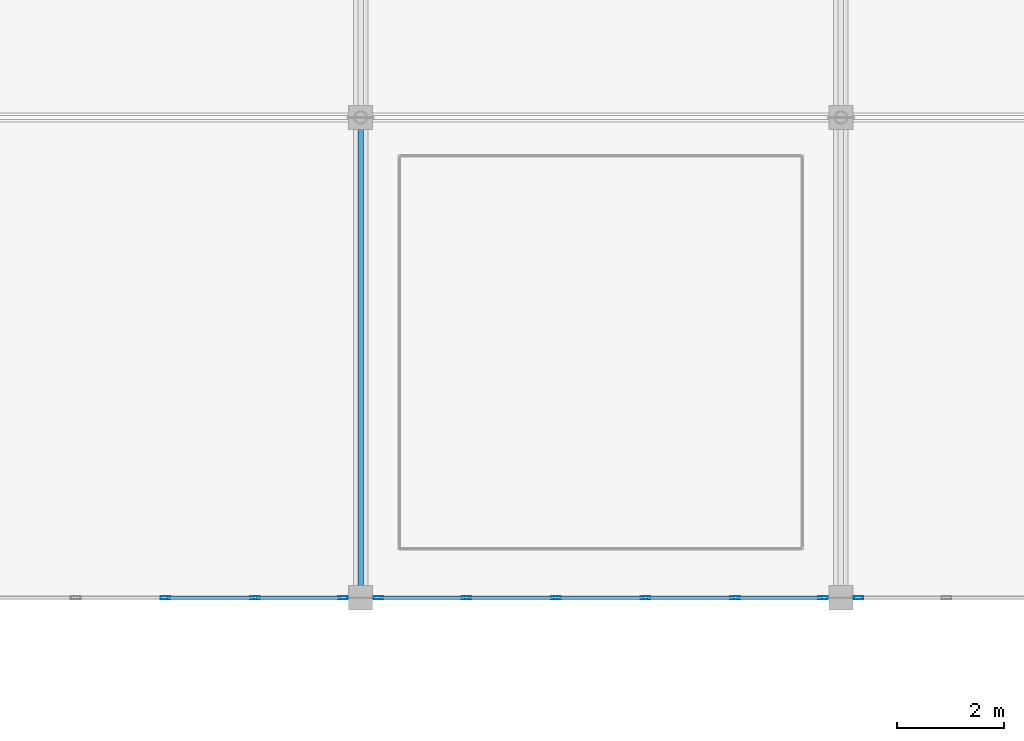
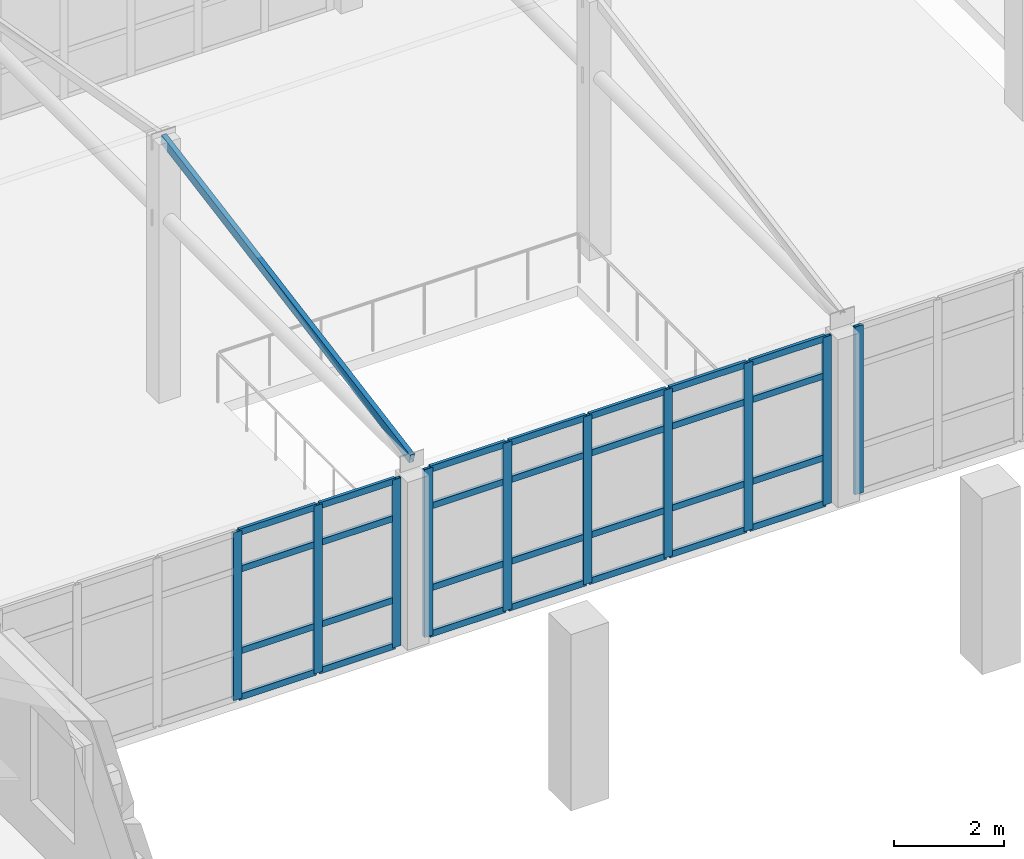
# One storey, part 46 of 156: 39 members, 3 elements without a shape of their own.
"""IFC4 building model written with IfcOpenShell, lengths in metres."""

from ifc_helpers import new_model, si_unit, direction, frame, origin, origin_2d, place, context, subcontext, project, spatial, hollow_rectangle, extrude, material, layer, layer_set, material_profile, profile_set, type_object, element, aggregate, save


model = new_model("IFC4")

# Units and contexts
model_context = context("Model", 3, precision=1e-05, world=origin(), true_north=direction((0.0, 1.0)))
body_context = subcontext(model_context, "Body", "Model", "MODEL_VIEW")
ifc_project = project(units=[si_unit("LENGTHUNIT", "METRE"), si_unit("AREAUNIT", "SQUARE_METRE"), si_unit("VOLUMEUNIT", "CUBIC_METRE"), si_unit("PLANEANGLEUNIT", "RADIAN"), si_unit("MASSUNIT", "GRAM", prefix="KILO")], contexts=[model_context])

# Site, building, storey
site_placement = place(None, origin())
site = spatial("IfcSite", under=ifc_project, at=site_placement, CompositionType="ELEMENT")
building_placement = place(site_placement, origin())
building = spatial("IfcBuilding", under=site, at=building_placement, Name="Ornek Quay Market", CompositionType="ELEMENT")
storey_placement = place(building_placement, frame((0.0, 0.0, 4.5)))
storey = spatial("IfcBuildingStorey", under=building, at=storey_placement, Name="L01", CompositionType="ELEMENT", Elevation=4.5)

# Curtain wall, members
ifc_material_1 = material(Name="Anodised bronze aluminium and triple low-e glass", Category="aluminium")
ifc_layer = layer(ifc_material_1, 0.199951171875, Name="Anodised bronze aluminium and triple low-e glass", Category="aluminium")
ifc_layer_set = layer_set([ifc_layer], Name="Anodised bronze aluminium and triple low-e glass")
curtain_wall_type = type_object("IfcCurtainWallType", Name="CW-CONC-MOD1800", PredefinedType="USERDEFINED", material=ifc_layer_set)
curtain_wall_1_placement = place(storey_placement, origin())
curtain_wall_1 = element("IfcCurtainWall", 1, at=curtain_wall_1_placement, inside=storey, type_object=curtain_wall_type, Name="Curtain wall CW-014", ObjectType="CURTAIN WALL", PredefinedType="USERDEFINED")
ifc_material_2 = material(Name="Anodised aluminium 6063-T6", Category="aluminium")
ifc_material_profile_1 = material_profile(ifc_material_2, hollow_rectangle(XDim=0.06494140625, YDim=0.179931640625, WallThickness=0.00439453125, at=origin_2d()), Name="CW-MUL-65x180", Category="aluminium")
ifc_profile_set_1 = profile_set([ifc_material_profile_1], Name="Anodised aluminium 6063-T6")
member_type_1 = type_object("IfcMemberType", Name="CW-MUL-65x180", PredefinedType="MULLION", material=ifc_profile_set_1)
member_1_placement = place(storey_placement, frame((32.340087890625, 92.0, 0.0), z_axis=(0.0, 0.0, 1.0), x_axis=(0.0, 1.0, 0.0)))
member_1 = element("IfcMember", 2, at=member_1_placement, type_object=member_type_1, Name="CW-014 mullion 4", PredefinedType="MULLION", context=body_context, shape_type="SweptSolid", body=[
    extrude(hollow_rectangle(XDim=0.06494140625, YDim=0.179931640625, WallThickness=0.00439453125, at=origin_2d()), origin(), (0.0, 0.0, 1.0), 3.7099609375),
])
member_2_placement = place(storey_placement, frame((34.02001953125, 92.0, 0.0), z_axis=(0.0, 0.0, 1.0), x_axis=(0.0, 1.0, 0.0)))
member_2 = element("IfcMember", 3, at=member_2_placement, type_object=member_type_1, Name="CW-014 mullion 5", PredefinedType="MULLION", context=body_context, shape_type="SweptSolid", body=[
    extrude(hollow_rectangle(XDim=0.06494140625, YDim=0.179931640625, WallThickness=0.00439453125, at=origin_2d()), origin(), (0.0, 0.0, 1.0), 3.7099609375),
])
member_3_placement = place(storey_placement, frame((35.66748046875, 92.0, 0.0), z_axis=(0.0, 0.0, 1.0), x_axis=(0.0, 1.0, 0.0)))
member_3 = element("IfcMember", 4, at=member_3_placement, type_object=member_type_1, Name="CW-014 mullion 6", PredefinedType="MULLION", context=body_context, shape_type="SweptSolid", body=[
    extrude(hollow_rectangle(XDim=0.06494140625, YDim=0.179931640625, WallThickness=0.00439453125, at=origin_2d()), origin(), (0.0, 0.0, 1.0), 3.7099609375),
])

curtain_wall_2_placement = place(storey_placement, origin())
curtain_wall_2 = element("IfcCurtainWall", 5, at=curtain_wall_2_placement, inside=storey, type_object=curtain_wall_type, Name="Curtain wall CW-018", ObjectType="CURTAIN WALL", PredefinedType="USERDEFINED")
member_4_placement = place(storey_placement, frame((36.33251953125, 92.0, 0.0), z_axis=(0.0, 0.0, 1.0), x_axis=(0.0, 1.0, 0.0)))
member_4 = element("IfcMember", 6, at=member_4_placement, type_object=member_type_1, Name="CW-018 mullion 1", PredefinedType="MULLION", context=body_context, shape_type="SweptSolid", body=[
    extrude(hollow_rectangle(XDim=0.06494140625, YDim=0.179931640625, WallThickness=0.00439453125, at=origin_2d()), origin(), (0.0, 0.0, 1.0), 3.7099609375),
])
member_5_placement = place(storey_placement, frame((37.97998046875, 92.0, 0.0), z_axis=(0.0, 0.0, 1.0), x_axis=(0.0, 1.0, 0.0)))
member_5 = element("IfcMember", 7, at=member_5_placement, type_object=member_type_1, Name="CW-018 mullion 2", PredefinedType="MULLION", context=body_context, shape_type="SweptSolid", body=[
    extrude(hollow_rectangle(XDim=0.06494140625, YDim=0.179931640625, WallThickness=0.00439453125, at=origin_2d()), origin(), (0.0, 0.0, 1.0), 3.7099609375),
])
member_6_placement = place(storey_placement, frame((39.659912109375, 92.0, 0.0), z_axis=(0.0, 0.0, 1.0), x_axis=(0.0, 1.0, 0.0)))
member_6 = element("IfcMember", 8, at=member_6_placement, type_object=member_type_1, Name="CW-018 mullion 3", PredefinedType="MULLION", context=body_context, shape_type="SweptSolid", body=[
    extrude(hollow_rectangle(XDim=0.06494140625, YDim=0.179931640625, WallThickness=0.00439453125, at=origin_2d()), origin(), (0.0, 0.0, 1.0), 3.7099609375),
])
member_7_placement = place(storey_placement, frame((41.340087890625, 92.0, 0.0), z_axis=(0.0, 0.0, 1.0), x_axis=(0.0, 1.0, 0.0)))
member_7 = element("IfcMember", 9, at=member_7_placement, type_object=member_type_1, Name="CW-018 mullion 4", PredefinedType="MULLION", context=body_context, shape_type="SweptSolid", body=[
    extrude(hollow_rectangle(XDim=0.06494140625, YDim=0.179931640625, WallThickness=0.00439453125, at=origin_2d()), origin(), (0.0, 0.0, 1.0), 3.7099609375),
])
member_8_placement = place(storey_placement, frame((43.02001953125, 92.0, 0.0), z_axis=(0.0, 0.0, 1.0), x_axis=(0.0, 1.0, 0.0)))
member_8 = element("IfcMember", 10, at=member_8_placement, type_object=member_type_1, Name="CW-018 mullion 5", PredefinedType="MULLION", context=body_context, shape_type="SweptSolid", body=[
    extrude(hollow_rectangle(XDim=0.06494140625, YDim=0.179931640625, WallThickness=0.00439453125, at=origin_2d()), origin(), (0.0, 0.0, 1.0), 3.7099609375),
])
member_9_placement = place(storey_placement, frame((44.66748046875, 92.0, 0.0), z_axis=(0.0, 0.0, 1.0), x_axis=(0.0, 1.0, 0.0)))
member_9 = element("IfcMember", 11, at=member_9_placement, type_object=member_type_1, Name="CW-018 mullion 6", PredefinedType="MULLION", context=body_context, shape_type="SweptSolid", body=[
    extrude(hollow_rectangle(XDim=0.06494140625, YDim=0.179931640625, WallThickness=0.00439453125, at=origin_2d()), origin(), (0.0, 0.0, 1.0), 3.7099609375),
])

# Curtain wall, member
curtain_wall_3_placement = place(storey_placement, origin())
curtain_wall_3 = element("IfcCurtainWall", 12, at=curtain_wall_3_placement, inside=storey, type_object=curtain_wall_type, Name="Curtain wall CW-022", ObjectType="CURTAIN WALL", PredefinedType="USERDEFINED")
member_10_placement = place(storey_placement, frame((45.33251953125, 92.0, 0.0), z_axis=(0.0, 0.0, 1.0), x_axis=(0.0, 1.0, 0.0)))
member_10 = element("IfcMember", 13, at=member_10_placement, type_object=member_type_1, Name="CW-022 mullion 1", PredefinedType="MULLION", context=body_context, shape_type="SweptSolid", body=[
    extrude(hollow_rectangle(XDim=0.06494140625, YDim=0.179931640625, WallThickness=0.00439453125, at=origin_2d()), origin(), (0.0, 0.0, 1.0), 3.7099609375),
])
aggregate(curtain_wall_3, [member_10])

# Member
ifc_material_profile_2 = material_profile(ifc_material_2, hollow_rectangle(XDim=0.06494140625, YDim=0.139892578125, WallThickness=0.00439453125, at=origin_2d()), Name="CW-TRN-65x140", Category="aluminium")
ifc_profile_set_2 = profile_set([ifc_material_profile_2], Name="Anodised aluminium 6063-T6")
member_type_2 = type_object("IfcMemberType", Name="CW-TRN-65x140", PredefinedType="USERDEFINED", material=ifc_profile_set_2)
member_11_placement = place(storey_placement, frame((32.37255859375, 92.0, 0.032470703125), z_axis=(1.0, 0.0, 0.0), x_axis=(0.0, 1.0, 0.0)))
member_11 = element("IfcMember", 14, at=member_11_placement, type_object=member_type_2, Name="CW-014 transom 4.1", ObjectType="TRANSOM", PredefinedType="USERDEFINED", context=body_context, shape_type="SweptSolid", body=[
    extrude(hollow_rectangle(XDim=0.06494140625, YDim=0.139892578125, WallThickness=0.00439453125, at=origin_2d()), origin(), (0.0, 0.0, 1.0), 1.614990234375),
])

member_12_placement = place(storey_placement, frame((32.37255859375, 92.0, 1.050048828125), z_axis=(1.0, 0.0, 0.0), x_axis=(0.0, 1.0, 0.0)))
member_12 = element("IfcMember", 15, at=member_12_placement, type_object=member_type_2, Name="CW-014 transom 4.2", ObjectType="TRANSOM", PredefinedType="USERDEFINED", context=body_context, shape_type="SweptSolid", body=[
    extrude(hollow_rectangle(XDim=0.06494140625, YDim=0.139892578125, WallThickness=0.00439453125, at=origin_2d()), origin(), (0.0, 0.0, 1.0), 1.614990234375),
])

member_13_placement = place(storey_placement, frame((32.37255859375, 92.0, 2.860107421875), z_axis=(1.0, 0.0, 0.0), x_axis=(0.0, 1.0, 0.0)))
member_13 = element("IfcMember", 16, at=member_13_placement, type_object=member_type_2, Name="CW-014 transom 4.3", ObjectType="TRANSOM", PredefinedType="USERDEFINED", context=body_context, shape_type="SweptSolid", body=[
    extrude(hollow_rectangle(XDim=0.06494140625, YDim=0.139892578125, WallThickness=0.00439453125, at=origin_2d()), origin(), (0.0, 0.0, 1.0), 1.614990234375),
])

member_14_placement = place(storey_placement, frame((32.37255859375, 92.0, 3.677490234375), z_axis=(1.0, 0.0, 0.0), x_axis=(0.0, 1.0, 0.0)))
member_14 = element("IfcMember", 17, at=member_14_placement, type_object=member_type_2, Name="CW-014 transom 4.4", ObjectType="TRANSOM", PredefinedType="USERDEFINED", context=body_context, shape_type="SweptSolid", body=[
    extrude(hollow_rectangle(XDim=0.06494140625, YDim=0.139892578125, WallThickness=0.00439453125, at=origin_2d()), origin(), (0.0, 0.0, 1.0), 1.614990234375),
])

member_15_placement = place(storey_placement, frame((34.052490234375, 92.0, 0.032470703125), z_axis=(1.0, 0.0, 0.0), x_axis=(0.0, 1.0, 0.0)))
member_15 = element("IfcMember", 18, at=member_15_placement, type_object=member_type_2, Name="CW-014 transom 5.1", ObjectType="TRANSOM", PredefinedType="USERDEFINED", context=body_context, shape_type="SweptSolid", body=[
    extrude(hollow_rectangle(XDim=0.06494140625, YDim=0.139892578125, WallThickness=0.00439453125, at=origin_2d()), origin(), (0.0, 0.0, 1.0), 1.58251953125),
])

member_16_placement = place(storey_placement, frame((34.052490234375, 92.0, 1.050048828125), z_axis=(1.0, 0.0, 0.0), x_axis=(0.0, 1.0, 0.0)))
member_16 = element("IfcMember", 19, at=member_16_placement, type_object=member_type_2, Name="CW-014 transom 5.2", ObjectType="TRANSOM", PredefinedType="USERDEFINED", context=body_context, shape_type="SweptSolid", body=[
    extrude(hollow_rectangle(XDim=0.06494140625, YDim=0.139892578125, WallThickness=0.00439453125, at=origin_2d()), origin(), (0.0, 0.0, 1.0), 1.58251953125),
])

member_17_placement = place(storey_placement, frame((34.052490234375, 92.0, 2.860107421875), z_axis=(1.0, 0.0, 0.0), x_axis=(0.0, 1.0, 0.0)))
member_17 = element("IfcMember", 20, at=member_17_placement, type_object=member_type_2, Name="CW-014 transom 5.3", ObjectType="TRANSOM", PredefinedType="USERDEFINED", context=body_context, shape_type="SweptSolid", body=[
    extrude(hollow_rectangle(XDim=0.06494140625, YDim=0.139892578125, WallThickness=0.00439453125, at=origin_2d()), origin(), (0.0, 0.0, 1.0), 1.58251953125),
])

member_18_placement = place(storey_placement, frame((34.052490234375, 92.0, 3.677490234375), z_axis=(1.0, 0.0, 0.0), x_axis=(0.0, 1.0, 0.0)))
member_18 = element("IfcMember", 21, at=member_18_placement, type_object=member_type_2, Name="CW-014 transom 5.4", ObjectType="TRANSOM", PredefinedType="USERDEFINED", context=body_context, shape_type="SweptSolid", body=[
    extrude(hollow_rectangle(XDim=0.06494140625, YDim=0.139892578125, WallThickness=0.00439453125, at=origin_2d()), origin(), (0.0, 0.0, 1.0), 1.58251953125),
])

aggregate(curtain_wall_1, [member_1, member_2, member_3, member_11, member_12, member_13, member_14, member_15, member_16, member_17, member_18])

member_19_placement = place(storey_placement, frame((36.364990234375, 92.0, 0.032470703125), z_axis=(1.0, 0.0, 0.0), x_axis=(0.0, 1.0, 0.0)))
member_19 = element("IfcMember", 22, at=member_19_placement, type_object=member_type_2, Name="CW-018 transom 1.1", ObjectType="TRANSOM", PredefinedType="USERDEFINED", context=body_context, shape_type="SweptSolid", body=[
    extrude(hollow_rectangle(XDim=0.06494140625, YDim=0.139892578125, WallThickness=0.00439453125, at=origin_2d()), origin(), (0.0, 0.0, 1.0), 1.58251953125),
])

member_20_placement = place(storey_placement, frame((36.364990234375, 92.0, 1.050048828125), z_axis=(1.0, 0.0, 0.0), x_axis=(0.0, 1.0, 0.0)))
member_20 = element("IfcMember", 23, at=member_20_placement, type_object=member_type_2, Name="CW-018 transom 1.2", ObjectType="TRANSOM", PredefinedType="USERDEFINED", context=body_context, shape_type="SweptSolid", body=[
    extrude(hollow_rectangle(XDim=0.06494140625, YDim=0.139892578125, WallThickness=0.00439453125, at=origin_2d()), origin(), (0.0, 0.0, 1.0), 1.58251953125),
])

member_21_placement = place(storey_placement, frame((36.364990234375, 92.0, 2.860107421875), z_axis=(1.0, 0.0, 0.0), x_axis=(0.0, 1.0, 0.0)))
member_21 = element("IfcMember", 24, at=member_21_placement, type_object=member_type_2, Name="CW-018 transom 1.3", ObjectType="TRANSOM", PredefinedType="USERDEFINED", context=body_context, shape_type="SweptSolid", body=[
    extrude(hollow_rectangle(XDim=0.06494140625, YDim=0.139892578125, WallThickness=0.00439453125, at=origin_2d()), origin(), (0.0, 0.0, 1.0), 1.58251953125),
])

member_22_placement = place(storey_placement, frame((36.364990234375, 92.0, 3.677490234375), z_axis=(1.0, 0.0, 0.0), x_axis=(0.0, 1.0, 0.0)))
member_22 = element("IfcMember", 25, at=member_22_placement, type_object=member_type_2, Name="CW-018 transom 1.4", ObjectType="TRANSOM", PredefinedType="USERDEFINED", context=body_context, shape_type="SweptSolid", body=[
    extrude(hollow_rectangle(XDim=0.06494140625, YDim=0.139892578125, WallThickness=0.00439453125, at=origin_2d()), origin(), (0.0, 0.0, 1.0), 1.58251953125),
])

member_23_placement = place(storey_placement, frame((38.012451171875, 92.0, 0.032470703125), z_axis=(1.0, 0.0, 0.0), x_axis=(0.0, 1.0, 0.0)))
member_23 = element("IfcMember", 26, at=member_23_placement, type_object=member_type_2, Name="CW-018 transom 2.1", ObjectType="TRANSOM", PredefinedType="USERDEFINED", context=body_context, shape_type="SweptSolid", body=[
    extrude(hollow_rectangle(XDim=0.06494140625, YDim=0.139892578125, WallThickness=0.00439453125, at=origin_2d()), origin(), (0.0, 0.0, 1.0), 1.614990234375),
])

member_24_placement = place(storey_placement, frame((38.012451171875, 92.0, 1.050048828125), z_axis=(1.0, 0.0, 0.0), x_axis=(0.0, 1.0, 0.0)))
member_24 = element("IfcMember", 27, at=member_24_placement, type_object=member_type_2, Name="CW-018 transom 2.2", ObjectType="TRANSOM", PredefinedType="USERDEFINED", context=body_context, shape_type="SweptSolid", body=[
    extrude(hollow_rectangle(XDim=0.06494140625, YDim=0.139892578125, WallThickness=0.00439453125, at=origin_2d()), origin(), (0.0, 0.0, 1.0), 1.614990234375),
])

member_25_placement = place(storey_placement, frame((38.012451171875, 92.0, 2.860107421875), z_axis=(1.0, 0.0, 0.0), x_axis=(0.0, 1.0, 0.0)))
member_25 = element("IfcMember", 28, at=member_25_placement, type_object=member_type_2, Name="CW-018 transom 2.3", ObjectType="TRANSOM", PredefinedType="USERDEFINED", context=body_context, shape_type="SweptSolid", body=[
    extrude(hollow_rectangle(XDim=0.06494140625, YDim=0.139892578125, WallThickness=0.00439453125, at=origin_2d()), origin(), (0.0, 0.0, 1.0), 1.614990234375),
])

member_26_placement = place(storey_placement, frame((38.012451171875, 92.0, 3.677490234375), z_axis=(1.0, 0.0, 0.0), x_axis=(0.0, 1.0, 0.0)))
member_26 = element("IfcMember", 29, at=member_26_placement, type_object=member_type_2, Name="CW-018 transom 2.4", ObjectType="TRANSOM", PredefinedType="USERDEFINED", context=body_context, shape_type="SweptSolid", body=[
    extrude(hollow_rectangle(XDim=0.06494140625, YDim=0.139892578125, WallThickness=0.00439453125, at=origin_2d()), origin(), (0.0, 0.0, 1.0), 1.614990234375),
])

member_27_placement = place(storey_placement, frame((39.6923828125, 92.0, 0.032470703125), z_axis=(1.0, 0.0, 0.0), x_axis=(0.0, 1.0, 0.0)))
member_27 = element("IfcMember", 30, at=member_27_placement, type_object=member_type_2, Name="CW-018 transom 3.1", ObjectType="TRANSOM", PredefinedType="USERDEFINED", context=body_context, shape_type="SweptSolid", body=[
    extrude(hollow_rectangle(XDim=0.06494140625, YDim=0.139892578125, WallThickness=0.00439453125, at=origin_2d()), origin(), (0.0, 0.0, 1.0), 1.615234375),
])

member_28_placement = place(storey_placement, frame((39.6923828125, 92.0, 1.050048828125), z_axis=(1.0, 0.0, 0.0), x_axis=(0.0, 1.0, 0.0)))
member_28 = element("IfcMember", 31, at=member_28_placement, type_object=member_type_2, Name="CW-018 transom 3.2", ObjectType="TRANSOM", PredefinedType="USERDEFINED", context=body_context, shape_type="SweptSolid", body=[
    extrude(hollow_rectangle(XDim=0.06494140625, YDim=0.139892578125, WallThickness=0.00439453125, at=origin_2d()), origin(), (0.0, 0.0, 1.0), 1.615234375),
])

member_29_placement = place(storey_placement, frame((39.6923828125, 92.0, 2.860107421875), z_axis=(1.0, 0.0, 0.0), x_axis=(0.0, 1.0, 0.0)))
member_29 = element("IfcMember", 32, at=member_29_placement, type_object=member_type_2, Name="CW-018 transom 3.3", ObjectType="TRANSOM", PredefinedType="USERDEFINED", context=body_context, shape_type="SweptSolid", body=[
    extrude(hollow_rectangle(XDim=0.06494140625, YDim=0.139892578125, WallThickness=0.00439453125, at=origin_2d()), origin(), (0.0, 0.0, 1.0), 1.615234375),
])

member_30_placement = place(storey_placement, frame((39.6923828125, 92.0, 3.677490234375), z_axis=(1.0, 0.0, 0.0), x_axis=(0.0, 1.0, 0.0)))
member_30 = element("IfcMember", 33, at=member_30_placement, type_object=member_type_2, Name="CW-018 transom 3.4", ObjectType="TRANSOM", PredefinedType="USERDEFINED", context=body_context, shape_type="SweptSolid", body=[
    extrude(hollow_rectangle(XDim=0.06494140625, YDim=0.139892578125, WallThickness=0.00439453125, at=origin_2d()), origin(), (0.0, 0.0, 1.0), 1.615234375),
])

member_31_placement = place(storey_placement, frame((41.37255859375, 92.0, 0.032470703125), z_axis=(1.0, 0.0, 0.0), x_axis=(0.0, 1.0, 0.0)))
member_31 = element("IfcMember", 34, at=member_31_placement, type_object=member_type_2, Name="CW-018 transom 4.1", ObjectType="TRANSOM", PredefinedType="USERDEFINED", context=body_context, shape_type="SweptSolid", body=[
    extrude(hollow_rectangle(XDim=0.06494140625, YDim=0.139892578125, WallThickness=0.00439453125, at=origin_2d()), origin(), (0.0, 0.0, 1.0), 1.614990234375),
])

member_32_placement = place(storey_placement, frame((41.37255859375, 92.0, 1.050048828125), z_axis=(1.0, 0.0, 0.0), x_axis=(0.0, 1.0, 0.0)))
member_32 = element("IfcMember", 35, at=member_32_placement, type_object=member_type_2, Name="CW-018 transom 4.2", ObjectType="TRANSOM", PredefinedType="USERDEFINED", context=body_context, shape_type="SweptSolid", body=[
    extrude(hollow_rectangle(XDim=0.06494140625, YDim=0.139892578125, WallThickness=0.00439453125, at=origin_2d()), origin(), (0.0, 0.0, 1.0), 1.614990234375),
])

member_33_placement = place(storey_placement, frame((41.37255859375, 92.0, 2.860107421875), z_axis=(1.0, 0.0, 0.0), x_axis=(0.0, 1.0, 0.0)))
member_33 = element("IfcMember", 36, at=member_33_placement, type_object=member_type_2, Name="CW-018 transom 4.3", ObjectType="TRANSOM", PredefinedType="USERDEFINED", context=body_context, shape_type="SweptSolid", body=[
    extrude(hollow_rectangle(XDim=0.06494140625, YDim=0.139892578125, WallThickness=0.00439453125, at=origin_2d()), origin(), (0.0, 0.0, 1.0), 1.614990234375),
])

member_34_placement = place(storey_placement, frame((41.37255859375, 92.0, 3.677490234375), z_axis=(1.0, 0.0, 0.0), x_axis=(0.0, 1.0, 0.0)))
member_34 = element("IfcMember", 37, at=member_34_placement, type_object=member_type_2, Name="CW-018 transom 4.4", ObjectType="TRANSOM", PredefinedType="USERDEFINED", context=body_context, shape_type="SweptSolid", body=[
    extrude(hollow_rectangle(XDim=0.06494140625, YDim=0.139892578125, WallThickness=0.00439453125, at=origin_2d()), origin(), (0.0, 0.0, 1.0), 1.614990234375),
])

member_35_placement = place(storey_placement, frame((43.052490234375, 92.0, 0.032470703125), z_axis=(1.0, 0.0, 0.0), x_axis=(0.0, 1.0, 0.0)))
member_35 = element("IfcMember", 38, at=member_35_placement, type_object=member_type_2, Name="CW-018 transom 5.1", ObjectType="TRANSOM", PredefinedType="USERDEFINED", context=body_context, shape_type="SweptSolid", body=[
    extrude(hollow_rectangle(XDim=0.06494140625, YDim=0.139892578125, WallThickness=0.00439453125, at=origin_2d()), origin(), (0.0, 0.0, 1.0), 1.58251953125),
])

member_36_placement = place(storey_placement, frame((43.052490234375, 92.0, 1.050048828125), z_axis=(1.0, 0.0, 0.0), x_axis=(0.0, 1.0, 0.0)))
member_36 = element("IfcMember", 39, at=member_36_placement, type_object=member_type_2, Name="CW-018 transom 5.2", ObjectType="TRANSOM", PredefinedType="USERDEFINED", context=body_context, shape_type="SweptSolid", body=[
    extrude(hollow_rectangle(XDim=0.06494140625, YDim=0.139892578125, WallThickness=0.00439453125, at=origin_2d()), origin(), (0.0, 0.0, 1.0), 1.58251953125),
])

member_37_placement = place(storey_placement, frame((43.052490234375, 92.0, 2.860107421875), z_axis=(1.0, 0.0, 0.0), x_axis=(0.0, 1.0, 0.0)))
member_37 = element("IfcMember", 40, at=member_37_placement, type_object=member_type_2, Name="CW-018 transom 5.3", ObjectType="TRANSOM", PredefinedType="USERDEFINED", context=body_context, shape_type="SweptSolid", body=[
    extrude(hollow_rectangle(XDim=0.06494140625, YDim=0.139892578125, WallThickness=0.00439453125, at=origin_2d()), origin(), (0.0, 0.0, 1.0), 1.58251953125),
])

member_38_placement = place(storey_placement, frame((43.052490234375, 92.0, 3.677490234375), z_axis=(1.0, 0.0, 0.0), x_axis=(0.0, 1.0, 0.0)))
member_38 = element("IfcMember", 41, at=member_38_placement, type_object=member_type_2, Name="CW-018 transom 5.4", ObjectType="TRANSOM", PredefinedType="USERDEFINED", context=body_context, shape_type="SweptSolid", body=[
    extrude(hollow_rectangle(XDim=0.06494140625, YDim=0.139892578125, WallThickness=0.00439453125, at=origin_2d()), origin(), (0.0, 0.0, 1.0), 1.58251953125),
])

aggregate(curtain_wall_2, [member_4, member_5, member_6, member_7, member_8, member_9, member_19, member_20, member_21, member_22, member_23, member_24, member_25, member_26, member_27, member_28, member_29, member_30, member_31, member_32, member_33, member_34, member_35, member_36, member_37, member_38])

ifc_material_3 = material(Name="Steel S355", Category="steel")
ifc_material_profile_3 = material_profile(ifc_material_3, hollow_rectangle(XDim=0.10009765625, YDim=0.199951171875, WallThickness=0.008056640625, at=origin_2d()), Name="MBR-RAF-100x200", Category="steel")
ifc_profile_set_3 = profile_set([ifc_material_profile_3], Name="Steel S355")
member_type_3 = type_object("IfcMemberType", Name="MBR-RAF-100x200", PredefinedType="RAFTER", material=ifc_profile_set_3)
member_39_placement = place(storey_placement, frame((36.0, 92.0, 4.030029296875), z_axis=(0.0, 0.984185744367, 0.177139551158), x_axis=(-1.0, 0.0, 0.0)))
element("IfcMember", 42, at=member_39_placement, inside=storey, type_object=member_type_3, Name="Concourse skylight rafter W-36-S", PredefinedType="RAFTER", context=body_context, shape_type="SweptSolid", body=[
    extrude(hollow_rectangle(XDim=0.10009765625, YDim=0.199951171875, WallThickness=0.008056640625, at=origin_2d()), origin(), (0.0, 0.0, 1.0), 9.14453125),
])

save(model, "model.ifc")
